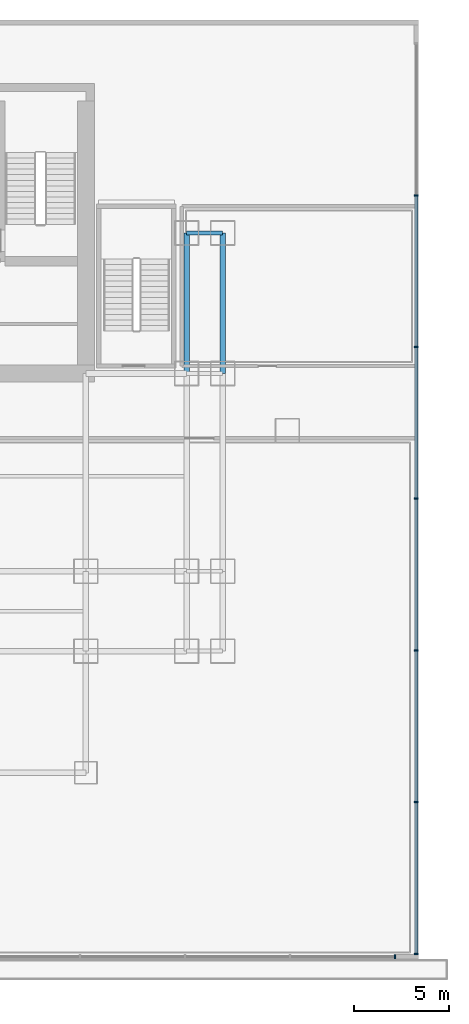
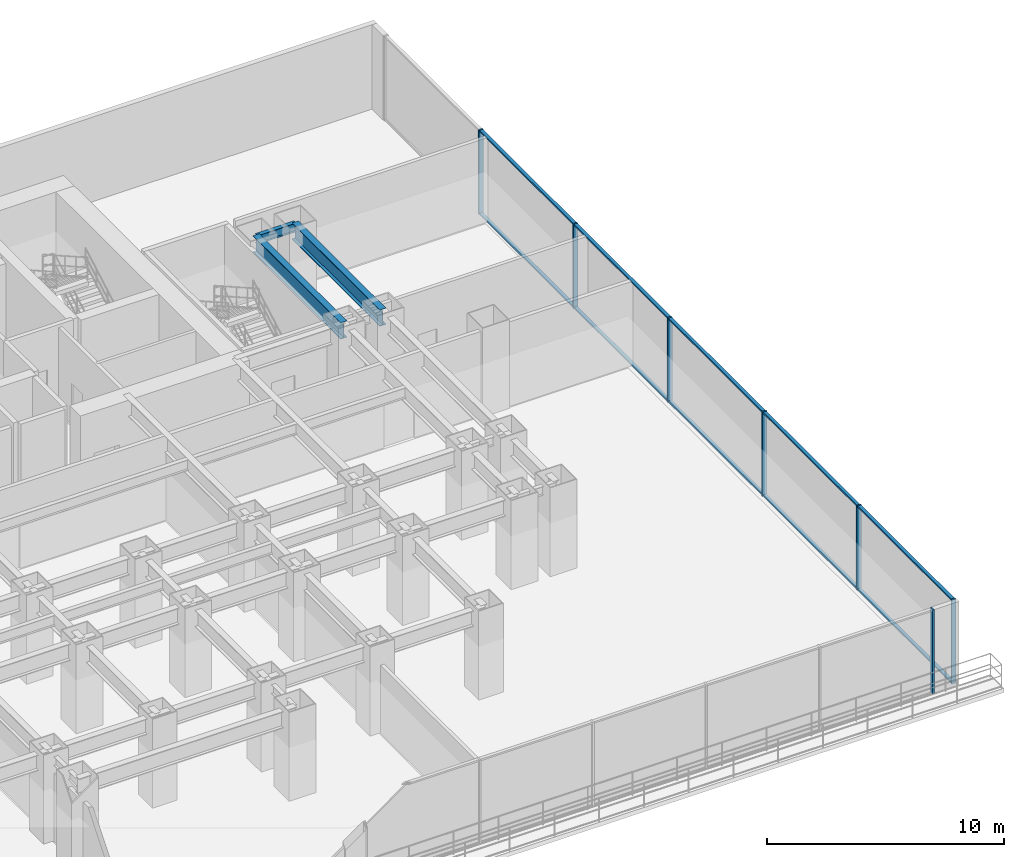
# One storey, part 6 of 13: 17 members, 3 beams, 2 elements without a shape of their own.
"""IFC4 building model written with IfcOpenShell, lengths in metres."""

import ifcopenshell
import ifcopenshell.guid

model = None  # the IFC model being written
_history = None  # IfcOwnerHistory: only IFC2X3 demands one
_inside = {}  # id of a spatial element -> (the spatial element, [elements in it])
_under = {}  # id of a project, library or spatial element -> (it, [spatial elements below it])
_declared = {}  # id of a project -> (the project, [libraries it declares])
_typed = {}  # id of a type object -> (the type object, [elements of that type])
_made_of = {}  # id of a material, layer set ... -> (it, [elements and type objects made of it])


def new_model(schema):
    """Start an empty IFC model of exactly this schema.

    Asked for "IFC4X3", IfcOpenShell would pick the latest addendum, in which some entities
    have other attributes; the version numbers below select the first issue.
    IFC2X3 requires an IfcOwnerHistory on every rooted entity: one is made here for all.
    """
    global model, _history
    if schema == "IFC4X3":
        model = ifcopenshell.file(schema_version=(4, 3, 0, 0))
    else:
        model = ifcopenshell.file(schema=schema)
    _inside.clear()
    _under.clear()
    _declared.clear()
    _typed.clear()
    _made_of.clear()
    _history = None
    if model.schema == "IFC2X3":
        org = make("IfcOrganization", Name="unknown")
        user = make(
            "IfcPersonAndOrganization",
            ThePerson=make("IfcPerson", FamilyName="unknown"),
            TheOrganization=org,
        )
        app = make(
            "IfcApplication",
            ApplicationDeveloper=org,
            Version="unknown",
            ApplicationFullName="unknown",
            ApplicationIdentifier="unknown",
        )
        _history = make(
            "IfcOwnerHistory",
            OwningUser=user,
            OwningApplication=app,
            ChangeAction="ADDED",
            CreationDate=0,
        )
    return model


def make(cls, **values):
    """One entity of the class cls with the attributes given. An attribute that is None is left unset."""
    return model.create_entity(
        cls, **{name: value for name, value in values.items() if value is not None}
    )


def rooted(cls, **values):
    """An entity with a GlobalId (a new one), such as an element, a storey or a relation."""
    return make(cls, GlobalId=ifcopenshell.guid.new(), OwnerHistory=_history, **values)


def si_unit(unit_type, name, prefix=None):
    """IfcSIUnit, for example si_unit("LENGTHUNIT", "METRE", prefix="MILLI")."""
    return make("IfcSIUnit", UnitType=unit_type, Prefix=prefix, Name=name)


def assignment(units):
    """IfcUnitAssignment: the units of a project."""
    return None if units is None else make("IfcUnitAssignment", Units=units)


def point(xyz):
    """IfcCartesianPoint."""
    return None if xyz is None else make("IfcCartesianPoint", Coordinates=xyz)


def direction(xyz):
    """IfcDirection."""
    return None if xyz is None else make("IfcDirection", DirectionRatios=xyz)


def frame(location, z_axis=None, x_axis=None):
    """IfcAxis2Placement3D, a coordinate frame: its origin and axes. An axis left out is left unset."""
    return make(
        "IfcAxis2Placement3D",
        Location=point(location),
        Axis=direction(z_axis),
        RefDirection=direction(x_axis),
    )


def frame_2d(location, x_axis=None):
    """IfcAxis2Placement2D, a coordinate frame in the plane: its origin and x axis."""
    return make(
        "IfcAxis2Placement2D", Location=point(location), RefDirection=direction(x_axis)
    )


def origin():
    """The frame at (0, 0, 0) with its axes left unset."""
    return frame((0.0, 0.0, 0.0))


def origin_2d():
    """The frame at (0, 0) in the plane with its x axis left unset."""
    return frame_2d((0.0, 0.0))


def place(relative_to, where):
    """IfcLocalPlacement: puts the frame where relative to a parent placement (None: the world)."""
    return make(
        "IfcLocalPlacement", PlacementRelTo=relative_to, RelativePlacement=where
    )


def context(
    kind, dimensions, precision=None, world=None, true_north=None, identifier=None
):
    """IfcGeometricRepresentationContext, for example the 3D "Model" context."""
    return make(
        "IfcGeometricRepresentationContext",
        ContextIdentifier=identifier,
        ContextType=kind,
        CoordinateSpaceDimension=dimensions,
        Precision=precision,
        WorldCoordinateSystem=world,
        TrueNorth=true_north,
    )


def subcontext(parent, identifier, kind, view, scale=None):
    """IfcGeometricRepresentationSubContext, for example "Body" below "Model"."""
    return make(
        "IfcGeometricRepresentationSubContext",
        ContextIdentifier=identifier,
        ContextType=kind,
        ParentContext=parent,
        TargetScale=scale,
        TargetView=view,
    )


def project(units=None, contexts=None):
    """IfcProject with its units and contexts."""
    return rooted(
        "IfcProject",
        Name="project",
        RepresentationContexts=contexts,
        UnitsInContext=assignment(units),
    )


def spatial(cls, under=None, at=None, **own):
    """A site, building, storey or space (cls), placed at a placement, below another one or the project."""
    s = rooted(cls, ObjectPlacement=at, **own)
    if under is not None:
        _under.setdefault(under.id(), (under, []))[1].append(s)
    return s


def profile(cls, at=None, kind="AREA", **sizes):
    """A parametric profile (cls). Its sizes go by their IFC names, for example OverallWidth=200.0."""
    return make(cls, ProfileType=kind, Position=at, **sizes)


def rectangle(**sizes):
    """IfcRectangleProfileDef."""
    return profile("IfcRectangleProfileDef", **sizes)


def i_section(**sizes):
    """IfcIShapeProfileDef."""
    return profile("IfcIShapeProfileDef", **sizes)


def extrude(swept, where, along, depth):
    """IfcExtrudedAreaSolid: the profile swept, set in the frame where, extruded along a direction by depth."""
    return make(
        "IfcExtrudedAreaSolid",
        SweptArea=swept,
        Position=where,
        ExtrudedDirection=direction(along),
        Depth=depth,
    )


def shape(context_of_items, identifier, shape_type, items):
    """IfcShapeRepresentation: the items that make up one representation, for example the "Body"."""
    return make(
        "IfcShapeRepresentation",
        ContextOfItems=context_of_items,
        RepresentationIdentifier=identifier,
        RepresentationType=shape_type,
        Items=items,
    )


def source(mapping_origin, context_of_items, identifier, shape_type, items):
    """IfcRepresentationMap: a shape defined once, which mapped items show again and again."""
    return make(
        "IfcRepresentationMap",
        MappingOrigin=mapping_origin,
        MappedRepresentation=shape(context_of_items, identifier, shape_type, items),
    )


def transform(
    local_origin,
    x_axis=None,
    y_axis=None,
    z_axis=None,
    scale=None,
    scale2=None,
    scale3=None,
    uniform=True,
):
    """IfcCartesianTransformationOperator3D, or its non-uniform kind. x_axis, y_axis, z_axis: its Axis1, 2, 3."""
    if uniform:
        return make(
            "IfcCartesianTransformationOperator3D",
            Axis1=direction(x_axis),
            Axis2=direction(y_axis),
            LocalOrigin=point(local_origin),
            Scale=scale,
            Axis3=direction(z_axis),
        )
    return make(
        "IfcCartesianTransformationOperator3DnonUniform",
        Axis1=direction(x_axis),
        Axis2=direction(y_axis),
        LocalOrigin=point(local_origin),
        Scale=scale,
        Axis3=direction(z_axis),
        Scale2=scale2,
        Scale3=scale3,
    )


def mapped(mapping_source, mapping_target):
    """IfcMappedItem: shows the shape of a source again, moved by a transform."""
    return make(
        "IfcMappedItem", MappingSource=mapping_source, MappingTarget=mapping_target
    )


def material(Name=None, Category=None):
    """IfcMaterial."""
    return make("IfcMaterial", Name=Name, Category=Category)


def layer(
    of_material, thickness, ventilated=None, Name=None, Category=None, Priority=None
):
    """IfcMaterialLayer: one layer of a wall or slab, of a material (None: an air gap)."""
    return make(
        "IfcMaterialLayer",
        Material=of_material,
        LayerThickness=thickness,
        IsVentilated=ventilated,
        Name=Name,
        Category=Category,
        Priority=Priority,
    )


def layer_set(layers, Name=None):
    """IfcMaterialLayerSet."""
    return make("IfcMaterialLayerSet", MaterialLayers=layers, LayerSetName=Name)


def material_profile(
    of_material, cross_section, Name=None, Category=None, Priority=None
):
    """IfcMaterialProfile: a cross section and its material."""
    return make(
        "IfcMaterialProfile",
        Name=Name,
        Material=of_material,
        Profile=cross_section,
        Priority=Priority,
        Category=Category,
    )


def profile_set(profiles, Name=None, composite=None):
    """IfcMaterialProfileSet."""
    return make(
        "IfcMaterialProfileSet",
        Name=Name,
        MaterialProfiles=profiles,
        CompositeProfile=composite,
    )


def made_of(thing, what):
    """Note that an element or type object is made of a material, layer set ...; save() writes the relation."""
    if what is not None:
        _made_of.setdefault(what.id(), (what, []))[1].append(thing)
    return thing


def type_object(cls, material=None, **own):
    """A type object (cls), such as IfcWallType, which elements share."""
    return made_of(rooted(cls, **own), material)


def element(
    cls,
    number,
    at=None,
    inside=None,
    cuts=None,
    type_object=None,
    material=None,
    context=None,
    identifier="Body",
    shape_type=None,
    held_by="IfcProductDefinitionShape",
    body=None,
    shapes=None,
    **own,
):
    """One element of the class cls, such as IfcWall. Its Tag is "e" and its number.

    at: its placement. inside: the storey or other place that contains it. cuts: it is an
    opening in that element (IfcRelVoidsElement). A single representation is given by context,
    identifier, shape_type and body (its items); several are given by shapes. held_by: the class
    of the entity that holds the representations. save() writes the other relations.
    """
    e = rooted(cls, Tag="e%d" % number, ObjectPlacement=at, **own)
    if body is not None:
        shapes = [shape(context, identifier, shape_type, body)]
    if shapes is not None:
        e.Representation = make(held_by, Representations=shapes)
    if inside is not None:
        _inside.setdefault(inside.id(), (inside, []))[1].append(e)
    if cuts is not None:
        rooted(
            "IfcRelVoidsElement", RelatingBuildingElement=cuts, RelatedOpeningElement=e
        )
    if type_object is not None:
        _typed.setdefault(type_object.id(), (type_object, []))[1].append(e)
    return made_of(e, material)


def aggregate(whole, parts):
    """IfcRelAggregates: a whole, such as a stair, and the parts it consists of."""
    return rooted("IfcRelAggregates", RelatingObject=whole, RelatedObjects=parts)


def save(model, path):
    """Write the relations noted so far, then the file.

    IfcRelAggregates (storeys below a building ...), IfcRelContainedInSpatialStructure (elements
    in a storey), IfcRelDefinesByType, IfcRelAssociatesMaterial and IfcRelDeclares: one each for
    every whole, place, type object, material and project.
    """
    for whole, parts in _under.values():
        aggregate(whole, parts)
    for where, things in _inside.values():
        rooted(
            "IfcRelContainedInSpatialStructure",
            RelatedElements=things,
            RelatingStructure=where,
        )
    for kind, things in _typed.values():
        rooted("IfcRelDefinesByType", RelatedObjects=things, RelatingType=kind)
    for what, things in _made_of.values():
        rooted("IfcRelAssociatesMaterial", RelatedObjects=things, RelatingMaterial=what)
    for by, libraries in _declared.values():
        rooted("IfcRelDeclares", RelatingContext=by, RelatedDefinitions=libraries)
    model.write(path)


model = new_model("IFC4")

# Units and contexts
model_context = context("Model", 3, precision=1e-05, world=origin(), true_north=direction((0.0, 1.0)))
body_context = subcontext(model_context, "Body", "Model", "MODEL_VIEW")
ifc_project = project(units=[si_unit("LENGTHUNIT", "METRE"), si_unit("AREAUNIT", "SQUARE_METRE"), si_unit("VOLUMEUNIT", "CUBIC_METRE"), si_unit("PLANEANGLEUNIT", "RADIAN"), si_unit("MASSUNIT", "GRAM", prefix="KILO")], contexts=[model_context])

# Site, building, storey
site_placement = place(None, origin())
site = spatial("IfcSite", under=ifc_project, at=site_placement, CompositionType="ELEMENT")
building_placement = place(site_placement, origin())
building = spatial("IfcBuilding", under=site, at=building_placement, Name="Qianlan Lanfeng Residences", CompositionType="ELEMENT")
storey_placement = place(building_placement, frame((0.0, 0.0, 9.800048828125)))
storey = spatial("IfcBuildingStorey", under=building, at=storey_placement, Name="L02", CompositionType="ELEMENT", Elevation=9.800048828125)

# Beams
ifc_material_1 = material(Name="Steel SN490B", Category="steel")
ifc_material_profile_1 = material_profile(ifc_material_1, i_section(OverallWidth=0.300048828125, OverallDepth=0.85009765625, WebThickness=0.01611328125, FlangeThickness=0.031982421875, at=origin_2d()), Name="H 850x300x16x32")
ifc_profile_set_1 = profile_set([ifc_material_profile_1], Name="Steel SN490B")
beam_type_1 = type_object("IfcBeamType", Name="G-1100", PredefinedType="BEAM", material=ifc_profile_set_1)
for number, where, z_axis, x_axis, name in (
    (1, (47.699951171875, 25.199951171875, 3.925048828125), (0.0, 1.0, 0.0), (-1.0, 0.0, 0.0), "Structural beam G-1100"),
    (2, (49.60009765625, 25.199951171875, 3.925048828125), (0.0, 1.0, 0.0), (-1.0, 0.0, 0.0), "Structural beam G-1100"),
):
    element("IfcBeam", number, at=place(storey_placement, frame(where, z_axis=z_axis, x_axis=x_axis)), inside=storey, type_object=beam_type_1, Name=name, PredefinedType="BEAM", context=body_context, shape_type="SweptSolid", body=[
        extrude(i_section(OverallWidth=0.300048828125, OverallDepth=0.85009765625, WebThickness=0.01611328125, FlangeThickness=0.031982421875, at=origin_2d()), origin(), (0.0, 0.0, 1.0), 7.400146484375),
    ])
ifc_material_profile_2 = material_profile(ifc_material_1, i_section(OverallWidth=0.199951171875, OverallDepth=0.449951171875, WebThickness=0.009033203125, FlangeThickness=0.013916015625, at=origin_2d()), Name="H 450x200x9x14")
ifc_profile_set_2 = profile_set([ifc_material_profile_2], Name="Steel SN490B")
beam_type_2 = type_object("IfcBeamType", Name="J-450", PredefinedType="JOIST", material=ifc_profile_set_2)
beam_placement = place(storey_placement, frame((47.699951171875, 32.60009765625, 4.125), z_axis=(1.0, 0.0, 0.0), x_axis=(0.0, 1.0, 0.0)))
element("IfcBeam", 3, at=beam_placement, inside=storey, type_object=beam_type_2, Name="Structural beam J-450", PredefinedType="JOIST", context=body_context, shape_type="SweptSolid", body=[
    extrude(i_section(OverallWidth=0.199951171875, OverallDepth=0.449951171875, WebThickness=0.009033203125, FlangeThickness=0.013916015625, at=origin_2d()), origin(), (0.0, 0.0, 1.0), 1.900146484375),
])

# Curtain wall, member
ifc_material_2 = material(Name="Anodised Bronze Aluminium 6063-T6", Category="aluminium")
ifc_layer = layer(ifc_material_2, 0.219970703125)
ifc_layer_set = layer_set([ifc_layer], Name="Anodised Bronze Aluminium 6063-T6")
curtain_wall_type = type_object("IfcCurtainWallType", Name="CW-01", PredefinedType="NOTDEFINED", material=ifc_layer_set)
curtain_wall_1_placement = place(storey_placement, origin())
curtain_wall_1 = element("IfcCurtainWall", 4, at=curtain_wall_1_placement, inside=storey, type_object=curtain_wall_type, Name="L02 Unitised Curtain Wall CWR-L02-SE (CW-01)", PredefinedType="NOTDEFINED")
ifc_material_profile_3 = material_profile(ifc_material_2, rectangle(XDim=0.080078125, YDim=0.2099609375, at=origin_2d()), Name="ALU MULLION 80x210")
ifc_profile_set_3 = profile_set([ifc_material_profile_3], Name="Anodised Bronze Aluminium 6063-T6")
member_type_1 = type_object("IfcMemberType", Name="CWM-220", PredefinedType="MULLION", material=ifc_profile_set_3)
shared_shape_1 = source(origin(), body_context, "Body", "SweptSolid", [
    extrude(rectangle(XDim=0.080078125, YDim=0.2099609375, at=origin_2d()), origin(), (0.0, 0.0, 1.0), 4.349853515625),
])
member_1_placement = place(storey_placement, frame((58.659912109375, -5.47998046875, 0.0), z_axis=(0.0, 0.0, 1.0), x_axis=(1.0, 0.0, 0.0)))
member_1 = element("IfcMember", 5, at=member_1_placement, type_object=member_type_1, Name="CWR-L02-SE Mullion 6", PredefinedType="MULLION", context=body_context, shape_type="MappedRepresentation", body=[
    mapped(shared_shape_1, transform((0.0, 0.0, 0.0), scale=1.0)),
])
aggregate(curtain_wall_1, [member_1])

# Curtain wall, members
curtain_wall_2_placement = place(storey_placement, origin())
curtain_wall_2 = element("IfcCurtainWall", 6, at=curtain_wall_2_placement, inside=storey, type_object=curtain_wall_type, Name="L02 Unitised Curtain Wall CWR-L02-E (CW-01)", PredefinedType="NOTDEFINED")
member_2_placement = place(storey_placement, frame((59.780029296875, -5.320068359375, 0.0), z_axis=(0.0, 0.0, 1.0), x_axis=(0.0, 1.0, 0.0)))
member_2 = element("IfcMember", 7, at=member_2_placement, type_object=member_type_1, Name="CWR-L02-E Mullion 1", PredefinedType="MULLION", context=body_context, shape_type="MappedRepresentation", body=[
    mapped(shared_shape_1, transform((0.0, 0.0, 0.0), scale=1.0)),
])
member_3_placement = place(storey_placement, frame((59.780029296875, 2.659912109375, 0.0), z_axis=(0.0, 0.0, 1.0), x_axis=(0.0, 1.0, 0.0)))
member_3 = element("IfcMember", 8, at=member_3_placement, type_object=member_type_1, Name="CWR-L02-E Mullion 2", PredefinedType="MULLION", context=body_context, shape_type="MappedRepresentation", body=[
    mapped(shared_shape_1, transform((0.0, 0.0, 0.0), scale=1.0)),
])
member_4_placement = place(storey_placement, frame((59.780029296875, 10.639892578125, 0.0), z_axis=(0.0, 0.0, 1.0), x_axis=(0.0, 1.0, 0.0)))
member_4 = element("IfcMember", 9, at=member_4_placement, type_object=member_type_1, Name="CWR-L02-E Mullion 3", PredefinedType="MULLION", context=body_context, shape_type="MappedRepresentation", body=[
    mapped(shared_shape_1, transform((0.0, 0.0, 0.0), scale=1.0)),
])
member_5_placement = place(storey_placement, frame((59.780029296875, 18.6201171875, 0.0), z_axis=(0.0, 0.0, 1.0), x_axis=(0.0, 1.0, 0.0)))
member_5 = element("IfcMember", 10, at=member_5_placement, type_object=member_type_1, Name="CWR-L02-E Mullion 4", PredefinedType="MULLION", context=body_context, shape_type="MappedRepresentation", body=[
    mapped(shared_shape_1, transform((0.0, 0.0, 0.0), scale=1.0)),
])
member_6_placement = place(storey_placement, frame((59.780029296875, 26.60009765625, 0.0), z_axis=(0.0, 0.0, 1.0), x_axis=(0.0, 1.0, 0.0)))
member_6 = element("IfcMember", 11, at=member_6_placement, type_object=member_type_1, Name="CWR-L02-E Mullion 5", PredefinedType="MULLION", context=body_context, shape_type="MappedRepresentation", body=[
    mapped(shared_shape_1, transform((0.0, 0.0, 0.0), scale=1.0)),
])
member_7_placement = place(storey_placement, frame((59.780029296875, 34.580078125, 0.0), z_axis=(0.0, 0.0, 1.0), x_axis=(0.0, 1.0, 0.0)))
member_7 = element("IfcMember", 12, at=member_7_placement, type_object=member_type_1, Name="CWR-L02-E Mullion 6", PredefinedType="MULLION", context=body_context, shape_type="MappedRepresentation", body=[
    mapped(shared_shape_1, transform((0.0, 0.0, 0.0), scale=1.0)),
])
ifc_material_profile_4 = material_profile(ifc_material_2, rectangle(XDim=0.080078125, YDim=0.159912109375, at=origin_2d()), Name="ALU TRANSOM 80x160")
ifc_profile_set_4 = profile_set([ifc_material_profile_4], Name="Anodised Bronze Aluminium 6063-T6")
member_type_2 = type_object("IfcMemberType", Name="CWT-180", PredefinedType="USERDEFINED", material=ifc_profile_set_4)
shared_shape_2 = source(origin(), body_context, "Body", "SweptSolid", [
    extrude(rectangle(XDim=0.080078125, YDim=0.159912109375, at=origin_2d()), origin(), (0.0, 0.0, 1.0), 7.900146484375),
])
member_8_placement = place(storey_placement, frame((59.780029296875, -5.280029296875, 0.0400390625), z_axis=(0.0, 1.0, 0.0), x_axis=(0.0, 0.0, 1.0)))
member_8 = element("IfcMember", 13, at=member_8_placement, type_object=member_type_2, Name="CWR-L02-E Transom 1-BOT", ObjectType="TRANSOM", PredefinedType="USERDEFINED", context=body_context, shape_type="MappedRepresentation", body=[
    mapped(shared_shape_2, transform((0.0, 0.0, 0.0), scale=1.0)),
])
member_9_placement = place(storey_placement, frame((59.780029296875, -5.280029296875, 4.31005859375), z_axis=(0.0, 1.0, 0.0), x_axis=(0.0, 0.0, 1.0)))
member_9 = element("IfcMember", 14, at=member_9_placement, type_object=member_type_2, Name="CWR-L02-E Transom 1-TOP", ObjectType="TRANSOM", PredefinedType="USERDEFINED", context=body_context, shape_type="MappedRepresentation", body=[
    mapped(shared_shape_2, transform((0.0, 0.0, 0.0), scale=1.0)),
])
member_10_placement = place(storey_placement, frame((59.780029296875, 2.699951171875, 0.0400390625), z_axis=(0.0, 1.0, 0.0), x_axis=(0.0, 0.0, 1.0)))
member_10 = element("IfcMember", 15, at=member_10_placement, type_object=member_type_2, Name="CWR-L02-E Transom 2-BOT", ObjectType="TRANSOM", PredefinedType="USERDEFINED", context=body_context, shape_type="MappedRepresentation", body=[
    mapped(shared_shape_2, transform((0.0, 0.0, 0.0), scale=1.0)),
])
member_11_placement = place(storey_placement, frame((59.780029296875, 2.699951171875, 4.31005859375), z_axis=(0.0, 1.0, 0.0), x_axis=(0.0, 0.0, 1.0)))
member_11 = element("IfcMember", 16, at=member_11_placement, type_object=member_type_2, Name="CWR-L02-E Transom 2-TOP", ObjectType="TRANSOM", PredefinedType="USERDEFINED", context=body_context, shape_type="MappedRepresentation", body=[
    mapped(shared_shape_2, transform((0.0, 0.0, 0.0), scale=1.0)),
])
member_12_placement = place(storey_placement, frame((59.780029296875, 10.679931640625, 0.0400390625), z_axis=(0.0, 1.0, 0.0), x_axis=(0.0, 0.0, 1.0)))
member_12 = element("IfcMember", 17, at=member_12_placement, type_object=member_type_2, Name="CWR-L02-E Transom 3-BOT", ObjectType="TRANSOM", PredefinedType="USERDEFINED", context=body_context, shape_type="MappedRepresentation", body=[
    mapped(shared_shape_2, transform((0.0, 0.0, 0.0), scale=1.0)),
])
member_13_placement = place(storey_placement, frame((59.780029296875, 10.679931640625, 4.31005859375), z_axis=(0.0, 1.0, 0.0), x_axis=(0.0, 0.0, 1.0)))
member_13 = element("IfcMember", 18, at=member_13_placement, type_object=member_type_2, Name="CWR-L02-E Transom 3-TOP", ObjectType="TRANSOM", PredefinedType="USERDEFINED", context=body_context, shape_type="MappedRepresentation", body=[
    mapped(shared_shape_2, transform((0.0, 0.0, 0.0), scale=1.0)),
])
member_14_placement = place(storey_placement, frame((59.780029296875, 18.659912109375, 0.0400390625), z_axis=(0.0, 1.0, 0.0), x_axis=(0.0, 0.0, 1.0)))
member_14 = element("IfcMember", 19, at=member_14_placement, type_object=member_type_2, Name="CWR-L02-E Transom 4-BOT", ObjectType="TRANSOM", PredefinedType="USERDEFINED", context=body_context, shape_type="MappedRepresentation", body=[
    mapped(shared_shape_2, transform((0.0, 0.0, 0.0), scale=1.0)),
])
member_15_placement = place(storey_placement, frame((59.780029296875, 18.659912109375, 4.31005859375), z_axis=(0.0, 1.0, 0.0), x_axis=(0.0, 0.0, 1.0)))
member_15 = element("IfcMember", 20, at=member_15_placement, type_object=member_type_2, Name="CWR-L02-E Transom 4-TOP", ObjectType="TRANSOM", PredefinedType="USERDEFINED", context=body_context, shape_type="MappedRepresentation", body=[
    mapped(shared_shape_2, transform((0.0, 0.0, 0.0), scale=1.0)),
])
member_16_placement = place(storey_placement, frame((59.780029296875, 26.639892578125, 0.0400390625), z_axis=(0.0, 1.0, 0.0), x_axis=(0.0, 0.0, 1.0)))
member_16 = element("IfcMember", 21, at=member_16_placement, type_object=member_type_2, Name="CWR-L02-E Transom 5-BOT", ObjectType="TRANSOM", PredefinedType="USERDEFINED", context=body_context, shape_type="MappedRepresentation", body=[
    mapped(shared_shape_2, transform((0.0, 0.0, 0.0), scale=1.0)),
])
member_17_placement = place(storey_placement, frame((59.780029296875, 26.639892578125, 4.31005859375), z_axis=(0.0, 1.0, 0.0), x_axis=(0.0, 0.0, 1.0)))
member_17 = element("IfcMember", 22, at=member_17_placement, type_object=member_type_2, Name="CWR-L02-E Transom 5-TOP", ObjectType="TRANSOM", PredefinedType="USERDEFINED", context=body_context, shape_type="MappedRepresentation", body=[
    mapped(shared_shape_2, transform((0.0, 0.0, 0.0), scale=1.0)),
])
aggregate(curtain_wall_2, [member_2, member_3, member_4, member_5, member_6, member_7, member_8, member_9, member_10, member_11, member_12, member_13, member_14, member_15, member_16, member_17])

save(model, "model.ifc")
